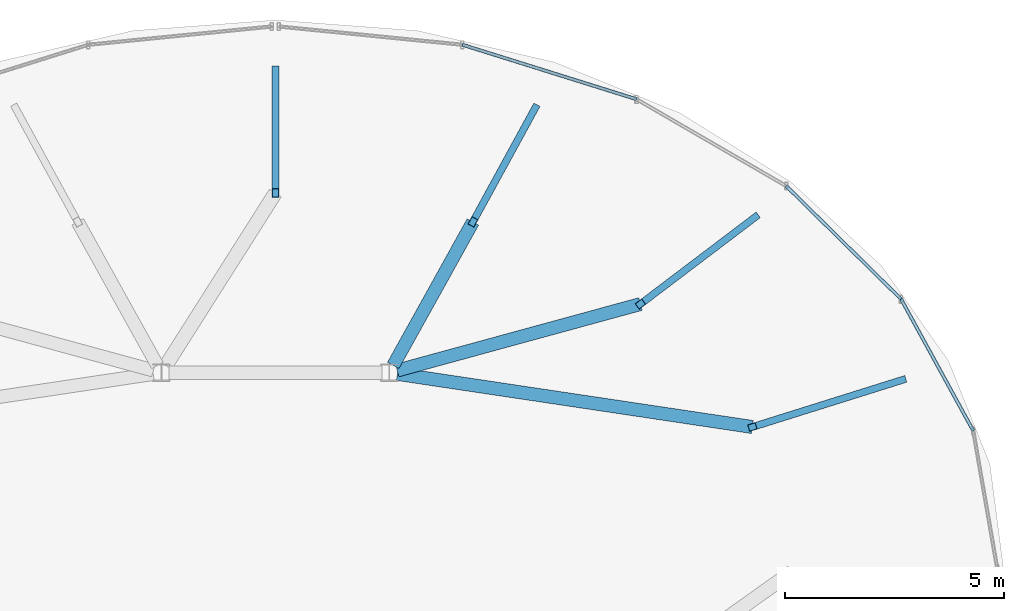
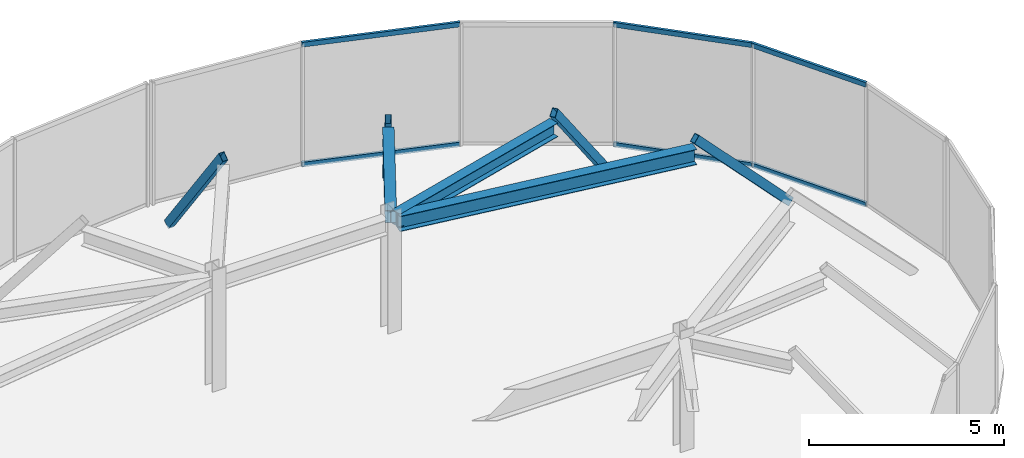
# One storey, part 10 of 13: 10 members, 3 beams, 1 element without a shape of its own.
"""IFC4 building model written with IfcOpenShell, lengths in metres."""

from ifc_helpers import new_model, si_unit, direction, frame, origin, origin_2d, place, context, subcontext, project, spatial, hollow_rectangle, i_section, extrude, material, material_profile, profile_set, type_object, element, aggregate, save


model = new_model("IFC4")

# Units and contexts
model_context = context("Model", 3, precision=1e-05, world=origin(), true_north=direction((0.0, 1.0)))
body_context = subcontext(model_context, "Body", "Model", "MODEL_VIEW")
ifc_project = project(units=[si_unit("LENGTHUNIT", "METRE"), si_unit("AREAUNIT", "SQUARE_METRE"), si_unit("VOLUMEUNIT", "CUBIC_METRE"), si_unit("PLANEANGLEUNIT", "RADIAN"), si_unit("MASSUNIT", "GRAM", prefix="KILO")], contexts=[model_context])

# Site, building, storey
site_placement = place(None, origin())
site = spatial("IfcSite", under=ifc_project, at=site_placement, CompositionType="ELEMENT")
building_placement = place(site_placement, origin())
building = spatial("IfcBuilding", under=site, at=building_placement, Name="Vorneva Point Tower", CompositionType="ELEMENT")
storey_placement = place(building_placement, frame((0.0, 0.0, 303.0)))
storey = spatial("IfcBuildingStorey", under=building, at=storey_placement, Name="C03", CompositionType="ELEMENT", Elevation=303.0)

# Beams
ifc_material_1 = material(Name="Steel S355", Category="steel")
ifc_material_profile_1 = material_profile(ifc_material_1, i_section(OverallWidth=0.299072265625, OverallDepth=0.383056640625, WebThickness=0.009521484375, FlangeThickness=0.012451171875, at=origin_2d()), Name="40Sh1")
ifc_profile_set_1 = profile_set([ifc_material_profile_1], Name="Steel S355")
beam_type_1 = type_object("IfcBeamType", Name="BM-GRD-40Sh1", PredefinedType="USERDEFINED", material=ifc_profile_set_1)
beam_1_placement = place(storey_placement, frame((42.51025390625, 33.99169921875, 3.3583984375), z_axis=(-0.485299844014, -0.874347792014, 0.0), x_axis=(0.874347792014, -0.485299844014, 0.0)))
element("IfcBeam", 1, at=beam_1_placement, inside=storey, type_object=beam_type_1, Name="C03 Radial Primary Girder 04", ObjectType="GIRDER", PredefinedType="USERDEFINED", context=body_context, shape_type="SweptSolid", body=[
    extrude(i_section(OverallWidth=0.299072265625, OverallDepth=0.383056640625, WebThickness=0.009521484375, FlangeThickness=0.012451171875, at=origin_2d()), origin(), (0.0, 0.0, 1.0), 3.746337890625),
])
ifc_material_profile_2 = material_profile(ifc_material_1, i_section(OverallWidth=0.299072265625, OverallDepth=0.43505859375, WebThickness=0.010498046875, FlangeThickness=0.014892578125, at=origin_2d()), Name="45Sh1")
ifc_profile_set_2 = profile_set([ifc_material_profile_2], Name="Steel S355")
beam_type_2 = type_object("IfcBeamType", Name="BM-GRD-45Sh1", PredefinedType="USERDEFINED", material=ifc_profile_set_2)
beam_2_placement = place(storey_placement, frame((46.333984375, 32.116455078125, 3.33251953125), z_axis=(-0.964653095617, -0.263523063726, 0.0), x_axis=(0.263523063726, -0.964653095617, 0.0)))
element("IfcBeam", 2, at=beam_2_placement, inside=storey, type_object=beam_type_2, Name="C03 Radial Primary Girder 03", ObjectType="GIRDER", PredefinedType="USERDEFINED", context=body_context, shape_type="SweptSolid", body=[
    extrude(i_section(OverallWidth=0.299072265625, OverallDepth=0.43505859375, WebThickness=0.010498046875, FlangeThickness=0.014892578125, at=origin_2d()), origin(), (0.0, 0.0, 1.0), 5.754150390625),
])
ifc_material_profile_3 = material_profile(ifc_material_1, i_section(OverallWidth=0.300048828125, OverallDepth=0.48193359375, WebThickness=0.010986328125, FlangeThickness=0.014892578125, at=origin_2d()), Name="50Sh1")
ifc_profile_set_3 = profile_set([ifc_material_profile_3], Name="Steel S355")
beam_type_3 = type_object("IfcBeamType", Name="BM-GRD-50Sh1", PredefinedType="USERDEFINED", material=ifc_profile_set_3)
beam_3_placement = place(storey_placement, frame((48.888916015625, 29.310302734375, 3.30908203125), z_axis=(-0.988998790521, 0.147923603079, 0.0), x_axis=(-0.147923603079, -0.988998790521, 0.0)))
element("IfcBeam", 3, at=beam_3_placement, inside=storey, type_object=beam_type_3, Name="C03 Radial Primary Girder 02", ObjectType="GIRDER", PredefinedType="USERDEFINED", context=body_context, shape_type="SweptSolid", body=[
    extrude(i_section(OverallWidth=0.300048828125, OverallDepth=0.48193359375, WebThickness=0.010986328125, FlangeThickness=0.014892578125, at=origin_2d()), origin(), (0.0, 0.0, 1.0), 8.191162109375),
])

# Curtain wall, members
ifc_material_2 = material(Name="Pale anodised aluminium", Category="aluminium")
curtain_wall_type = type_object("IfcCurtainWallType", Name="CW-CRN-SYS", PredefinedType="NOTDEFINED", material=ifc_material_2)
curtain_wall_placement = place(storey_placement, origin())
curtain_wall = element("IfcCurtainWall", 4, at=curtain_wall_placement, inside=storey, type_object=curtain_wall_type, Name="C03 Unitised Curtain Wall CW-C03-Q1", PredefinedType="NOTDEFINED")
ifc_material_profile_4 = material_profile(ifc_material_2, hollow_rectangle(XDim=0.074951171875, YDim=0.14990234375, WallThickness=0.00390625, at=origin_2d()), Name="AL-TRN 150x75x4")
ifc_profile_set_4 = profile_set([ifc_material_profile_4], Name="Pale anodised aluminium")
member_type_1 = type_object("IfcMemberType", Name="CW-TRN-150", PredefinedType="USERDEFINED", material=ifc_profile_set_4)
member_1_placement = place(storey_placement, frame((53.929931640625, 29.224853515625, 0.02001953125), z_axis=(-0.480717770532, 0.876875376034, 0.0), x_axis=(-0.876875376034, -0.480717770532, 0.0)))
member_1 = element("IfcMember", 5, at=member_1_placement, type_object=member_type_1, Name="CW-C03-Q1 Transom 02.1", ObjectType="TRANSOM", PredefinedType="USERDEFINED", context=body_context, shape_type="SweptSolid", body=[
    extrude(hollow_rectangle(XDim=0.074951171875, YDim=0.14990234375, WallThickness=0.00390625, at=origin_2d()), origin(), (0.0, 0.0, 1.0), 3.427001953125),
])
member_2_placement = place(storey_placement, frame((53.929931640625, 29.224853515625, 3.780029296875), z_axis=(-0.480717770532, 0.876875376034, 0.0), x_axis=(-0.876875376034, -0.480717770532, 0.0)))
member_2 = element("IfcMember", 6, at=member_2_placement, type_object=member_type_1, Name="CW-C03-Q1 Transom 02.2", ObjectType="TRANSOM", PredefinedType="USERDEFINED", context=body_context, shape_type="SweptSolid", body=[
    extrude(hollow_rectangle(XDim=0.074951171875, YDim=0.14990234375, WallThickness=0.00390625, at=origin_2d()), origin(), (0.0, 0.0, 1.0), 3.427001953125),
])
member_3_placement = place(storey_placement, frame((52.282470703125, 32.22998046875, 0.02001953125), z_axis=(-0.712561714087, 0.70160943809, 0.0), x_axis=(-0.70160943809, -0.712561714087, 0.0)))
member_3 = element("IfcMember", 7, at=member_3_placement, type_object=member_type_1, Name="CW-C03-Q1 Transom 03.1", ObjectType="TRANSOM", PredefinedType="USERDEFINED", context=body_context, shape_type="SweptSolid", body=[
    extrude(hollow_rectangle(XDim=0.074951171875, YDim=0.14990234375, WallThickness=0.00390625, at=origin_2d()), origin(), (0.0, 0.0, 1.0), 3.677978515625),
])
member_4_placement = place(storey_placement, frame((52.282470703125, 32.22998046875, 3.780029296875), z_axis=(-0.712561714087, 0.70160943809, 0.0), x_axis=(-0.70160943809, -0.712561714087, 0.0)))
member_4 = element("IfcMember", 8, at=member_4_placement, type_object=member_type_1, Name="CW-C03-Q1 Transom 03.2", ObjectType="TRANSOM", PredefinedType="USERDEFINED", context=body_context, shape_type="SweptSolid", body=[
    extrude(hollow_rectangle(XDim=0.074951171875, YDim=0.14990234375, WallThickness=0.00390625, at=origin_2d()), origin(), (0.0, 0.0, 1.0), 3.677978515625),
])
member_5_placement = place(storey_placement, frame((46.24609375, 36.790771484375, 0.02001953125), z_axis=(-0.954372562321, 0.298618506273, 0.0), x_axis=(-0.298618506273, -0.954372562321, 0.0)))
member_5 = element("IfcMember", 9, at=member_5_placement, type_object=member_type_1, Name="CW-C03-Q1 Transom 05.1", ObjectType="TRANSOM", PredefinedType="USERDEFINED", context=body_context, shape_type="SweptSolid", body=[
    extrude(hollow_rectangle(XDim=0.074951171875, YDim=0.14990234375, WallThickness=0.00390625, at=origin_2d()), origin(), (0.0, 0.0, 1.0), 4.16796875),
])
member_6_placement = place(storey_placement, frame((46.24609375, 36.790771484375, 3.780029296875), z_axis=(-0.954372562321, 0.298618506273, 0.0), x_axis=(-0.298618506273, -0.954372562321, 0.0)))
member_6 = element("IfcMember", 10, at=member_6_placement, type_object=member_type_1, Name="CW-C03-Q1 Transom 05.2", ObjectType="TRANSOM", PredefinedType="USERDEFINED", context=body_context, shape_type="SweptSolid", body=[
    extrude(hollow_rectangle(XDim=0.074951171875, YDim=0.14990234375, WallThickness=0.00390625, at=origin_2d()), origin(), (0.0, 0.0, 1.0), 4.16796875),
])
aggregate(curtain_wall, [member_1, member_2, member_3, member_4, member_5, member_6])

# Members
ifc_material_profile_5 = material_profile(ifc_material_1, hollow_rectangle(XDim=0.159912109375, YDim=0.25, WallThickness=0.010009765625, at=origin_2d()), Name="PP 250x160x10")
ifc_profile_set_5 = profile_set([ifc_material_profile_5], Name="Steel S355")
member_type_2 = type_object("IfcMemberType", Name="MBR-CRN-PP250", PredefinedType="CHORD", material=ifc_profile_set_5)
member_7_placement = place(storey_placement, frame((52.303466796875, 30.381591796875, 0.0), z_axis=(-0.654143045679, -0.20523235267, 0.727994888174), x_axis=(0.299354688217, -0.954141902781, 0.0)))
element("IfcMember", 11, at=member_7_placement, inside=storey, type_object=member_type_2, Name="Crown Tapered Frame Rib C03-02", PredefinedType="CHORD", context=body_context, shape_type="SweptSolid", body=[
    extrude(hollow_rectangle(XDim=0.159912109375, YDim=0.25, WallThickness=0.010009765625, at=origin_2d()), origin(), (0.0, 0.0, 1.0), 5.219970703125),
])
member_8_placement = place(storey_placement, frame((48.947509765625, 34.096435546875, 0.0), z_axis=(-0.52071755645, -0.39449036738, 0.757119922106), x_axis=(0.603864855873, -0.797086717893, 0.0)))
element("IfcMember", 12, at=member_8_placement, inside=storey, type_object=member_type_2, Name="Crown Tapered Frame Rib C03-03", PredefinedType="CHORD", context=body_context, shape_type="SweptSolid", body=[
    extrude(hollow_rectangle(XDim=0.159912109375, YDim=0.25, WallThickness=0.010009765625, at=origin_2d()), origin(), (0.0, 0.0, 1.0), 5.01904296875),
])
member_9_placement = place(storey_placement, frame((43.9248046875, 36.578369140625, 0.0), z_axis=(-0.29411027843, -0.537814704862, 0.790097770757), x_axis=(0.877376041832, -0.479803377666, 0.0)))
element("IfcMember", 13, at=member_9_placement, inside=storey, type_object=member_type_2, Name="Crown Tapered Frame Rib C03-04", PredefinedType="CHORD", context=body_context, shape_type="SweptSolid", body=[
    extrude(hollow_rectangle(XDim=0.159912109375, YDim=0.25, WallThickness=0.010009765625, at=origin_2d()), origin(), (0.0, 0.0, 1.0), 4.8095703125),
])
member_10_placement = place(storey_placement, frame((38.0, 37.449951171875, 0.0), z_axis=(0.0, -0.593200802357, 0.805054537334), x_axis=(1.0, 0.0, 0.0)))
element("IfcMember", 14, at=member_10_placement, inside=storey, type_object=member_type_2, Name="Crown Tapered Frame Rib C03-05", PredefinedType="CHORD", context=body_context, shape_type="SweptSolid", body=[
    extrude(hollow_rectangle(XDim=0.159912109375, YDim=0.25, WallThickness=0.010009765625, at=origin_2d()), origin(), (0.0, 0.0, 1.0), 4.72021484375),
])

save(model, "model.ifc")
